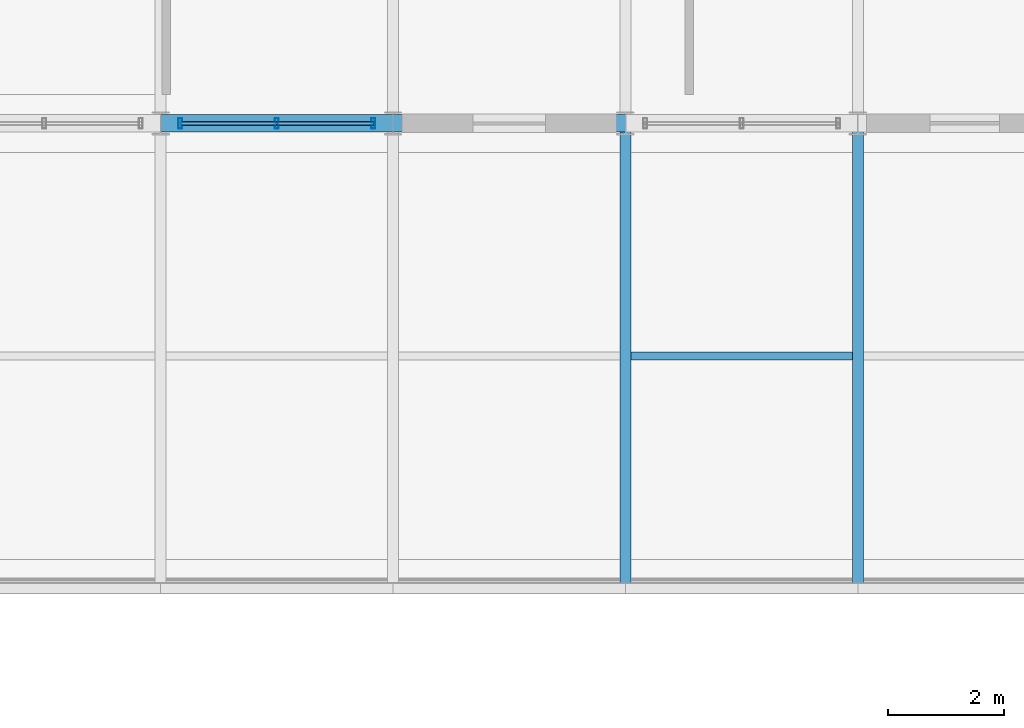
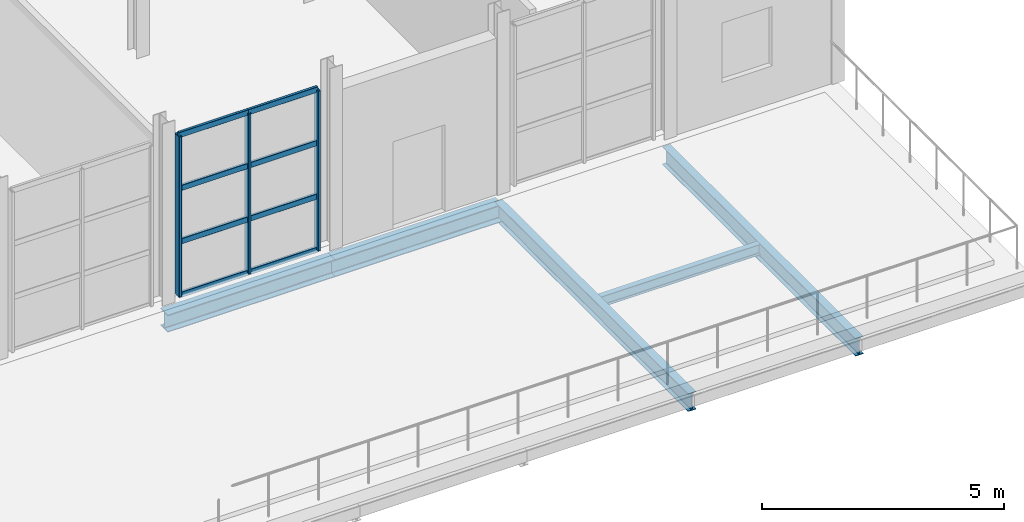
# One storey, part 48 of 67: 11 members, 5 beams, 1 element without a shape of its own.
"""IFC4 building model written with IfcOpenShell, lengths in metres."""

import ifcopenshell
import ifcopenshell.guid

model = None  # the IFC model being written
_history = None  # IfcOwnerHistory: only IFC2X3 demands one
_inside = {}  # id of a spatial element -> (the spatial element, [elements in it])
_under = {}  # id of a project, library or spatial element -> (it, [spatial elements below it])
_declared = {}  # id of a project -> (the project, [libraries it declares])
_typed = {}  # id of a type object -> (the type object, [elements of that type])
_made_of = {}  # id of a material, layer set ... -> (it, [elements and type objects made of it])


def new_model(schema):
    """Start an empty IFC model of exactly this schema.

    Asked for "IFC4X3", IfcOpenShell would pick the latest addendum, in which some entities
    have other attributes; the version numbers below select the first issue.
    IFC2X3 requires an IfcOwnerHistory on every rooted entity: one is made here for all.
    """
    global model, _history
    if schema == "IFC4X3":
        model = ifcopenshell.file(schema_version=(4, 3, 0, 0))
    else:
        model = ifcopenshell.file(schema=schema)
    _inside.clear()
    _under.clear()
    _declared.clear()
    _typed.clear()
    _made_of.clear()
    _history = None
    if model.schema == "IFC2X3":
        org = make("IfcOrganization", Name="unknown")
        user = make(
            "IfcPersonAndOrganization",
            ThePerson=make("IfcPerson", FamilyName="unknown"),
            TheOrganization=org,
        )
        app = make(
            "IfcApplication",
            ApplicationDeveloper=org,
            Version="unknown",
            ApplicationFullName="unknown",
            ApplicationIdentifier="unknown",
        )
        _history = make(
            "IfcOwnerHistory",
            OwningUser=user,
            OwningApplication=app,
            ChangeAction="ADDED",
            CreationDate=0,
        )
    return model


def make(cls, **values):
    """One entity of the class cls with the attributes given. An attribute that is None is left unset."""
    return model.create_entity(
        cls, **{name: value for name, value in values.items() if value is not None}
    )


def rooted(cls, **values):
    """An entity with a GlobalId (a new one), such as an element, a storey or a relation."""
    return make(cls, GlobalId=ifcopenshell.guid.new(), OwnerHistory=_history, **values)


def si_unit(unit_type, name, prefix=None):
    """IfcSIUnit, for example si_unit("LENGTHUNIT", "METRE", prefix="MILLI")."""
    return make("IfcSIUnit", UnitType=unit_type, Prefix=prefix, Name=name)


def derived_unit(unit_type, elements):
    """IfcDerivedUnit: a product of units, each with its exponent."""
    return make(
        "IfcDerivedUnit",
        Elements=[
            make("IfcDerivedUnitElement", Unit=unit, Exponent=power)
            for unit, power in elements
        ],
        UnitType=unit_type,
    )


def assignment(units):
    """IfcUnitAssignment: the units of a project."""
    return None if units is None else make("IfcUnitAssignment", Units=units)


def point(xyz):
    """IfcCartesianPoint."""
    return None if xyz is None else make("IfcCartesianPoint", Coordinates=xyz)


def direction(xyz):
    """IfcDirection."""
    return None if xyz is None else make("IfcDirection", DirectionRatios=xyz)


def frame(location, z_axis=None, x_axis=None):
    """IfcAxis2Placement3D, a coordinate frame: its origin and axes. An axis left out is left unset."""
    return make(
        "IfcAxis2Placement3D",
        Location=point(location),
        Axis=direction(z_axis),
        RefDirection=direction(x_axis),
    )


def frame_2d(location, x_axis=None):
    """IfcAxis2Placement2D, a coordinate frame in the plane: its origin and x axis."""
    return make(
        "IfcAxis2Placement2D", Location=point(location), RefDirection=direction(x_axis)
    )


def origin():
    """The frame at (0, 0, 0) with its axes left unset."""
    return frame((0.0, 0.0, 0.0))


def origin_2d():
    """The frame at (0, 0) in the plane with its x axis left unset."""
    return frame_2d((0.0, 0.0))


def place(relative_to, where):
    """IfcLocalPlacement: puts the frame where relative to a parent placement (None: the world)."""
    return make(
        "IfcLocalPlacement", PlacementRelTo=relative_to, RelativePlacement=where
    )


def context(
    kind, dimensions, precision=None, world=None, true_north=None, identifier=None
):
    """IfcGeometricRepresentationContext, for example the 3D "Model" context."""
    return make(
        "IfcGeometricRepresentationContext",
        ContextIdentifier=identifier,
        ContextType=kind,
        CoordinateSpaceDimension=dimensions,
        Precision=precision,
        WorldCoordinateSystem=world,
        TrueNorth=true_north,
    )


def subcontext(parent, identifier, kind, view, scale=None):
    """IfcGeometricRepresentationSubContext, for example "Body" below "Model"."""
    return make(
        "IfcGeometricRepresentationSubContext",
        ContextIdentifier=identifier,
        ContextType=kind,
        ParentContext=parent,
        TargetScale=scale,
        TargetView=view,
    )


def project(units=None, contexts=None):
    """IfcProject with its units and contexts."""
    return rooted(
        "IfcProject",
        Name="project",
        RepresentationContexts=contexts,
        UnitsInContext=assignment(units),
    )


def spatial(cls, under=None, at=None, **own):
    """A site, building, storey or space (cls), placed at a placement, below another one or the project."""
    s = rooted(cls, ObjectPlacement=at, **own)
    if under is not None:
        _under.setdefault(under.id(), (under, []))[1].append(s)
    return s


def profile(cls, at=None, kind="AREA", **sizes):
    """A parametric profile (cls). Its sizes go by their IFC names, for example OverallWidth=200.0."""
    return make(cls, ProfileType=kind, Position=at, **sizes)


def hollow_rectangle(**sizes):
    """IfcRectangleHollowProfileDef."""
    return profile("IfcRectangleHollowProfileDef", **sizes)


def i_section(**sizes):
    """IfcIShapeProfileDef."""
    return profile("IfcIShapeProfileDef", **sizes)


def extrude(swept, where, along, depth):
    """IfcExtrudedAreaSolid: the profile swept, set in the frame where, extruded along a direction by depth."""
    return make(
        "IfcExtrudedAreaSolid",
        SweptArea=swept,
        Position=where,
        ExtrudedDirection=direction(along),
        Depth=depth,
    )


def shape(context_of_items, identifier, shape_type, items):
    """IfcShapeRepresentation: the items that make up one representation, for example the "Body"."""
    return make(
        "IfcShapeRepresentation",
        ContextOfItems=context_of_items,
        RepresentationIdentifier=identifier,
        RepresentationType=shape_type,
        Items=items,
    )


def material(Name=None, Category=None):
    """IfcMaterial."""
    return make("IfcMaterial", Name=Name, Category=Category)


def material_profile(
    of_material, cross_section, Name=None, Category=None, Priority=None
):
    """IfcMaterialProfile: a cross section and its material."""
    return make(
        "IfcMaterialProfile",
        Name=Name,
        Material=of_material,
        Profile=cross_section,
        Priority=Priority,
        Category=Category,
    )


def profile_set(profiles, Name=None, composite=None):
    """IfcMaterialProfileSet."""
    return make(
        "IfcMaterialProfileSet",
        Name=Name,
        MaterialProfiles=profiles,
        CompositeProfile=composite,
    )


def made_of(thing, what):
    """Note that an element or type object is made of a material, layer set ...; save() writes the relation."""
    if what is not None:
        _made_of.setdefault(what.id(), (what, []))[1].append(thing)
    return thing


def type_object(cls, material=None, **own):
    """A type object (cls), such as IfcWallType, which elements share."""
    return made_of(rooted(cls, **own), material)


def element(
    cls,
    number,
    at=None,
    inside=None,
    cuts=None,
    type_object=None,
    material=None,
    context=None,
    identifier="Body",
    shape_type=None,
    held_by="IfcProductDefinitionShape",
    body=None,
    shapes=None,
    **own,
):
    """One element of the class cls, such as IfcWall. Its Tag is "e" and its number.

    at: its placement. inside: the storey or other place that contains it. cuts: it is an
    opening in that element (IfcRelVoidsElement). A single representation is given by context,
    identifier, shape_type and body (its items); several are given by shapes. held_by: the class
    of the entity that holds the representations. save() writes the other relations.
    """
    e = rooted(cls, Tag="e%d" % number, ObjectPlacement=at, **own)
    if body is not None:
        shapes = [shape(context, identifier, shape_type, body)]
    if shapes is not None:
        e.Representation = make(held_by, Representations=shapes)
    if inside is not None:
        _inside.setdefault(inside.id(), (inside, []))[1].append(e)
    if cuts is not None:
        rooted(
            "IfcRelVoidsElement", RelatingBuildingElement=cuts, RelatedOpeningElement=e
        )
    if type_object is not None:
        _typed.setdefault(type_object.id(), (type_object, []))[1].append(e)
    return made_of(e, material)


def aggregate(whole, parts):
    """IfcRelAggregates: a whole, such as a stair, and the parts it consists of."""
    return rooted("IfcRelAggregates", RelatingObject=whole, RelatedObjects=parts)


def save(model, path):
    """Write the relations noted so far, then the file.

    IfcRelAggregates (storeys below a building ...), IfcRelContainedInSpatialStructure (elements
    in a storey), IfcRelDefinesByType, IfcRelAssociatesMaterial and IfcRelDeclares: one each for
    every whole, place, type object, material and project.
    """
    for whole, parts in _under.values():
        aggregate(whole, parts)
    for where, things in _inside.values():
        rooted(
            "IfcRelContainedInSpatialStructure",
            RelatedElements=things,
            RelatingStructure=where,
        )
    for kind, things in _typed.values():
        rooted("IfcRelDefinesByType", RelatedObjects=things, RelatingType=kind)
    for what, things in _made_of.values():
        rooted("IfcRelAssociatesMaterial", RelatedObjects=things, RelatingMaterial=what)
    for by, libraries in _declared.values():
        rooted("IfcRelDeclares", RelatingContext=by, RelatedDefinitions=libraries)
    model.write(path)


model = new_model("IFC4")

# Units and contexts
model_context = context("Model", 3, precision=1e-05, world=origin(), true_north=direction((0.0, 1.0)))
body_context = subcontext(model_context, "Body", "Model", "MODEL_VIEW")
ifc_project = project(units=[si_unit("LENGTHUNIT", "METRE"), si_unit("AREAUNIT", "SQUARE_METRE"), si_unit("VOLUMEUNIT", "CUBIC_METRE"), si_unit("PLANEANGLEUNIT", "RADIAN"), si_unit("MASSUNIT", "GRAM", prefix="KILO"), derived_unit("THERMALTRANSMITTANCEUNIT", [(si_unit("POWERUNIT", "WATT"), 1), (si_unit("LENGTHUNIT", "METRE"), -2), (si_unit("THERMODYNAMICTEMPERATUREUNIT", "KELVIN"), -1)])], contexts=[model_context])

# Site, building, storey
site_placement = place(None, origin())
site = spatial("IfcSite", under=ifc_project, at=site_placement, CompositionType="ELEMENT")
building_placement = place(site_placement, origin())
building = spatial("IfcBuilding", under=site, at=building_placement, Name="Keldorne Ridge Multi-Sports Centre", CompositionType="ELEMENT")
storey_placement = place(building_placement, frame((0.0, 0.0, 14.0)))
storey = spatial("IfcBuildingStorey", under=building, at=storey_placement, Name="L03", CompositionType="ELEMENT", Elevation=14.0)

# Beams
ifc_material_1 = material(Name="Steel S355", Category="steel")
ifc_material_profile_1 = material_profile(ifc_material_1, i_section(OverallWidth=0.18994140625, OverallDepth=0.449951171875, WebThickness=0.009521484375, FlangeThickness=0.0146484375, FilletRadius=0.02099609375, at=origin_2d()), Name="IPE 450")
ifc_profile_set_1 = profile_set([ifc_material_profile_1], Name="Steel S355")
beam_type_1 = type_object("IfcBeamType", Name="BM-B-03", PredefinedType="BEAM", material=ifc_profile_set_1)
for number, where, z_axis, x_axis, name in (
    (1, (144.0, 66.0, -0.52490234375), (0.0, 1.0, 0.0), (-1.0, 0.0, 0.0), "L03 primary girder 144.1"),
    (2, (148.0, 66.0, -0.52490234375), (0.0, 1.0, 0.0), (-1.0, 0.0, 0.0), "L03 primary girder 148.1"),
):
    element("IfcBeam", number, at=place(storey_placement, frame(where, z_axis=z_axis, x_axis=x_axis)), inside=storey, type_object=beam_type_1, Name=name, PredefinedType="BEAM", context=body_context, shape_type="SweptSolid", body=[
        extrude(i_section(OverallWidth=0.18994140625, OverallDepth=0.449951171875, WebThickness=0.009521484375, FlangeThickness=0.0146484375, FilletRadius=0.02099609375, at=origin_2d()), origin(), (0.0, 0.0, 1.0), 8.0),
    ])
ifc_material_profile_2 = material_profile(ifc_material_1, i_section(OverallWidth=0.300048828125, OverallDepth=0.43994140625, WebThickness=0.011474609375, FlangeThickness=0.02099609375, FilletRadius=0.027099609375, at=origin_2d()), Name="HEA 450")
ifc_profile_set_2 = profile_set([ifc_material_profile_2], Name="Steel S355")
beam_type_2 = type_object("IfcBeamType", Name="BM-B-09", PredefinedType="BEAM", material=ifc_profile_set_2)
for number, where, z_axis, x_axis, name in (
    (3, (136.0, 74.0, -0.52001953125), (1.0, 0.0, 0.0), (0.0, 1.0, 0.0), "L03 primary beam 7.74"),
    (4, (140.0, 74.0, -0.52001953125), (1.0, 0.0, 0.0), (0.0, 1.0, 0.0), "L03 primary beam 8.74"),
):
    element("IfcBeam", number, at=place(storey_placement, frame(where, z_axis=z_axis, x_axis=x_axis)), inside=storey, type_object=beam_type_2, Name=name, PredefinedType="BEAM", context=body_context, shape_type="SweptSolid", body=[
        extrude(i_section(OverallWidth=0.300048828125, OverallDepth=0.43994140625, WebThickness=0.011474609375, FlangeThickness=0.02099609375, FilletRadius=0.027099609375, at=origin_2d()), origin(), (0.0, 0.0, 1.0), 4.0),
    ])
ifc_material_profile_3 = material_profile(ifc_material_1, i_section(OverallWidth=0.135009765625, OverallDepth=0.27001953125, WebThickness=0.006591796875, FlangeThickness=0.01025390625, FilletRadius=0.014892578125, at=origin_2d()), Name="IPE 270")
ifc_profile_set_3 = profile_set([ifc_material_profile_3], Name="Steel S355")
beam_type_3 = type_object("IfcBeamType", Name="BM-J-03", PredefinedType="JOIST", material=ifc_profile_set_3)
beam_placement = place(storey_placement, frame((144.094970703125, 70.0, -0.43505859375), z_axis=(1.0, 0.0, 0.0), x_axis=(0.0, 1.0, 0.0)))
element("IfcBeam", 5, at=beam_placement, inside=storey, type_object=beam_type_3, Name="L03 secondary joist 9.1", PredefinedType="JOIST", context=body_context, shape_type="SweptSolid", body=[
    extrude(i_section(OverallWidth=0.135009765625, OverallDepth=0.27001953125, WebThickness=0.006591796875, FlangeThickness=0.01025390625, FilletRadius=0.014892578125, at=origin_2d()), origin(), (0.0, 0.0, 1.0), 3.81005859375),
])

# Curtain wall, members
ifc_material_2 = material(Name="Anodized aluminium", Category="aluminium")
curtain_wall_type = type_object("IfcCurtainWallType", Name="CW-CW-03", PredefinedType="NOTDEFINED", material=ifc_material_2)
curtain_wall_placement = place(storey_placement, origin())
curtain_wall = element("IfcCurtainWall", 6, at=curtain_wall_placement, inside=storey, type_object=curtain_wall_type, Name="East Wing L03 south curtain wall 155", PredefinedType="NOTDEFINED")
ifc_material_profile_4 = material_profile(ifc_material_2, hollow_rectangle(XDim=0.06494140625, YDim=0.179931640625, WallThickness=0.00439453125, InnerFilletRadius=0.00439453125, OuterFilletRadius=0.009033203125, at=origin_2d()), Name="ALU MULLION 180x65x4.5")
ifc_profile_set_4 = profile_set([ifc_material_profile_4], Name="Anodized aluminium")
member_type_1 = type_object("IfcMemberType", Name="MEM-ML-01", PredefinedType="MULLION", material=ifc_profile_set_4)
member_1_placement = place(storey_placement, frame((136.340087890625, 74.0, 0.0), z_axis=(0.0, 0.0, 1.0), x_axis=(1.0, 0.0, 0.0)))
member_1 = element("IfcMember", 7, at=member_1_placement, type_object=member_type_1, Name="CW-155 vertical mullion 1", PredefinedType="MULLION", context=body_context, shape_type="SweptSolid", body=[
    extrude(hollow_rectangle(XDim=0.06494140625, YDim=0.179931640625, WallThickness=0.00439453125, InnerFilletRadius=0.00439453125, OuterFilletRadius=0.009033203125, at=origin_2d()), origin(), (0.0, 0.0, 1.0), 4.050048828125),
])
member_2_placement = place(storey_placement, frame((138.0, 74.0, 0.0), z_axis=(0.0, 0.0, 1.0), x_axis=(1.0, 0.0, 0.0)))
member_2 = element("IfcMember", 8, at=member_2_placement, type_object=member_type_1, Name="CW-155 vertical mullion 2", PredefinedType="MULLION", context=body_context, shape_type="SweptSolid", body=[
    extrude(hollow_rectangle(XDim=0.06494140625, YDim=0.179931640625, WallThickness=0.00439453125, InnerFilletRadius=0.00439453125, OuterFilletRadius=0.009033203125, at=origin_2d()), origin(), (0.0, 0.0, 1.0), 4.050048828125),
])
member_3_placement = place(storey_placement, frame((139.659912109375, 74.0, 0.0), z_axis=(0.0, 0.0, 1.0), x_axis=(1.0, 0.0, 0.0)))
member_3 = element("IfcMember", 9, at=member_3_placement, type_object=member_type_1, Name="CW-155 vertical mullion 3", PredefinedType="MULLION", context=body_context, shape_type="SweptSolid", body=[
    extrude(hollow_rectangle(XDim=0.06494140625, YDim=0.179931640625, WallThickness=0.00439453125, InnerFilletRadius=0.00439453125, OuterFilletRadius=0.009033203125, at=origin_2d()), origin(), (0.0, 0.0, 1.0), 4.050048828125),
])
ifc_material_profile_5 = material_profile(ifc_material_2, hollow_rectangle(XDim=0.06494140625, YDim=0.139892578125, WallThickness=0.00439453125, InnerFilletRadius=0.00439453125, OuterFilletRadius=0.009033203125, at=origin_2d()), Name="ALU TRANSOM 140x65x4.5")
ifc_profile_set_5 = profile_set([ifc_material_profile_5], Name="Anodized aluminium")
member_type_2 = type_object("IfcMemberType", Name="MEM-TR-01", PredefinedType="USERDEFINED", material=ifc_profile_set_5)
member_4_placement = place(storey_placement, frame((136.340087890625, 74.0, 0.0), z_axis=(1.0, 0.0, 0.0), x_axis=(0.0, 1.0, 0.0)))
member_4 = element("IfcMember", 10, at=member_4_placement, type_object=member_type_2, Name="CW-155 transom 1.1", ObjectType="TRANSOM", PredefinedType="USERDEFINED", context=body_context, shape_type="SweptSolid", body=[
    extrude(hollow_rectangle(XDim=0.06494140625, YDim=0.139892578125, WallThickness=0.00439453125, InnerFilletRadius=0.00439453125, OuterFilletRadius=0.009033203125, at=origin_2d()), origin(), (0.0, 0.0, 1.0), 1.659912109375),
])
member_5_placement = place(storey_placement, frame((136.340087890625, 74.0, 1.35009765625), z_axis=(1.0, 0.0, 0.0), x_axis=(0.0, 1.0, 0.0)))
member_5 = element("IfcMember", 11, at=member_5_placement, type_object=member_type_2, Name="CW-155 transom 1.2", ObjectType="TRANSOM", PredefinedType="USERDEFINED", context=body_context, shape_type="SweptSolid", body=[
    extrude(hollow_rectangle(XDim=0.06494140625, YDim=0.139892578125, WallThickness=0.00439453125, InnerFilletRadius=0.00439453125, OuterFilletRadius=0.009033203125, at=origin_2d()), origin(), (0.0, 0.0, 1.0), 1.659912109375),
])
member_6_placement = place(storey_placement, frame((136.340087890625, 74.0, 2.699951171875), z_axis=(1.0, 0.0, 0.0), x_axis=(0.0, 1.0, 0.0)))
member_6 = element("IfcMember", 12, at=member_6_placement, type_object=member_type_2, Name="CW-155 transom 1.3", ObjectType="TRANSOM", PredefinedType="USERDEFINED", context=body_context, shape_type="SweptSolid", body=[
    extrude(hollow_rectangle(XDim=0.06494140625, YDim=0.139892578125, WallThickness=0.00439453125, InnerFilletRadius=0.00439453125, OuterFilletRadius=0.009033203125, at=origin_2d()), origin(), (0.0, 0.0, 1.0), 1.659912109375),
])
member_7_placement = place(storey_placement, frame((136.340087890625, 74.0, 4.050048828125), z_axis=(1.0, 0.0, 0.0), x_axis=(0.0, 1.0, 0.0)))
member_7 = element("IfcMember", 13, at=member_7_placement, type_object=member_type_2, Name="CW-155 transom 1.4", ObjectType="TRANSOM", PredefinedType="USERDEFINED", context=body_context, shape_type="SweptSolid", body=[
    extrude(hollow_rectangle(XDim=0.06494140625, YDim=0.139892578125, WallThickness=0.00439453125, InnerFilletRadius=0.00439453125, OuterFilletRadius=0.009033203125, at=origin_2d()), origin(), (0.0, 0.0, 1.0), 1.659912109375),
])
member_8_placement = place(storey_placement, frame((138.0, 74.0, 0.0), z_axis=(1.0, 0.0, 0.0), x_axis=(0.0, 1.0, 0.0)))
member_8 = element("IfcMember", 14, at=member_8_placement, type_object=member_type_2, Name="CW-155 transom 2.1", ObjectType="TRANSOM", PredefinedType="USERDEFINED", context=body_context, shape_type="SweptSolid", body=[
    extrude(hollow_rectangle(XDim=0.06494140625, YDim=0.139892578125, WallThickness=0.00439453125, InnerFilletRadius=0.00439453125, OuterFilletRadius=0.009033203125, at=origin_2d()), origin(), (0.0, 0.0, 1.0), 1.659912109375),
])
member_9_placement = place(storey_placement, frame((138.0, 74.0, 1.35009765625), z_axis=(1.0, 0.0, 0.0), x_axis=(0.0, 1.0, 0.0)))
member_9 = element("IfcMember", 15, at=member_9_placement, type_object=member_type_2, Name="CW-155 transom 2.2", ObjectType="TRANSOM", PredefinedType="USERDEFINED", context=body_context, shape_type="SweptSolid", body=[
    extrude(hollow_rectangle(XDim=0.06494140625, YDim=0.139892578125, WallThickness=0.00439453125, InnerFilletRadius=0.00439453125, OuterFilletRadius=0.009033203125, at=origin_2d()), origin(), (0.0, 0.0, 1.0), 1.659912109375),
])
member_10_placement = place(storey_placement, frame((138.0, 74.0, 2.699951171875), z_axis=(1.0, 0.0, 0.0), x_axis=(0.0, 1.0, 0.0)))
member_10 = element("IfcMember", 16, at=member_10_placement, type_object=member_type_2, Name="CW-155 transom 2.3", ObjectType="TRANSOM", PredefinedType="USERDEFINED", context=body_context, shape_type="SweptSolid", body=[
    extrude(hollow_rectangle(XDim=0.06494140625, YDim=0.139892578125, WallThickness=0.00439453125, InnerFilletRadius=0.00439453125, OuterFilletRadius=0.009033203125, at=origin_2d()), origin(), (0.0, 0.0, 1.0), 1.659912109375),
])
member_11_placement = place(storey_placement, frame((138.0, 74.0, 4.050048828125), z_axis=(1.0, 0.0, 0.0), x_axis=(0.0, 1.0, 0.0)))
member_11 = element("IfcMember", 17, at=member_11_placement, type_object=member_type_2, Name="CW-155 transom 2.4", ObjectType="TRANSOM", PredefinedType="USERDEFINED", context=body_context, shape_type="SweptSolid", body=[
    extrude(hollow_rectangle(XDim=0.06494140625, YDim=0.139892578125, WallThickness=0.00439453125, InnerFilletRadius=0.00439453125, OuterFilletRadius=0.009033203125, at=origin_2d()), origin(), (0.0, 0.0, 1.0), 1.659912109375),
])
aggregate(curtain_wall, [member_1, member_2, member_3, member_4, member_5, member_6, member_7, member_8, member_9, member_10, member_11])

save(model, "model.ifc")
